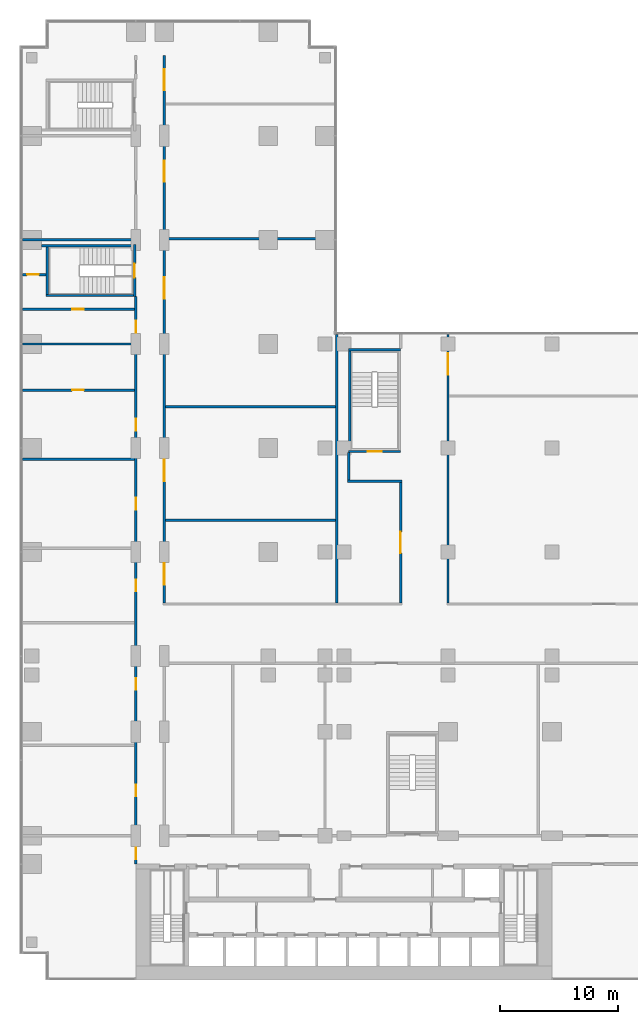
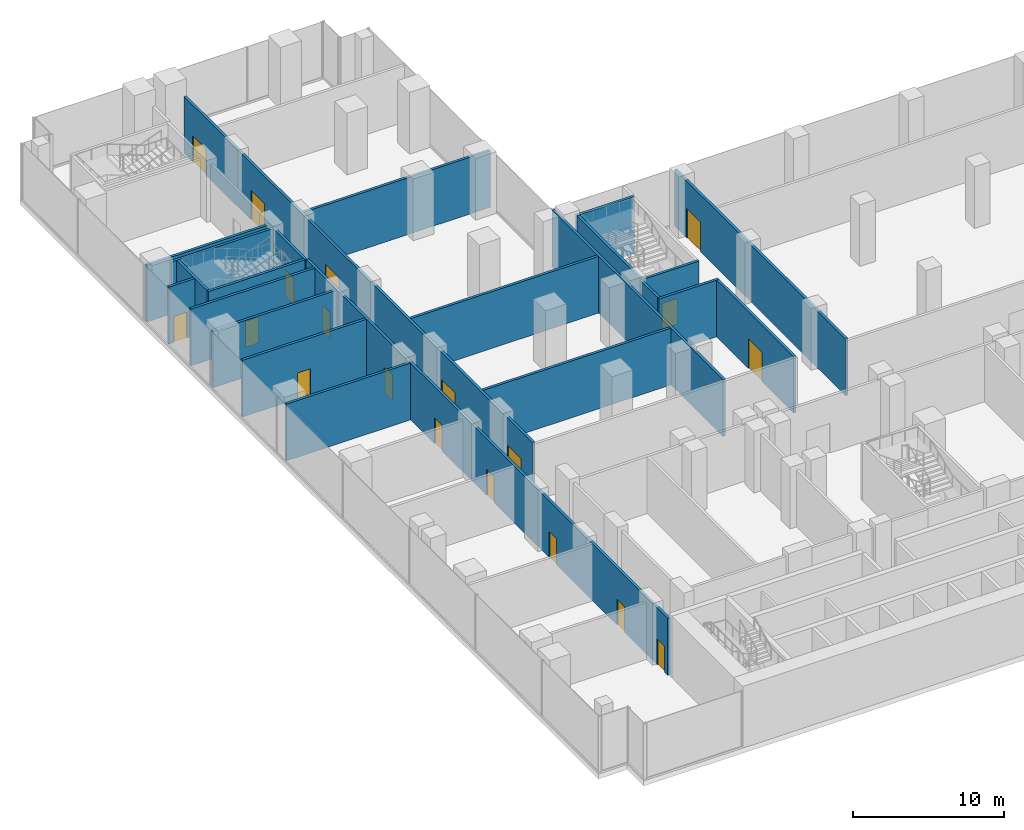
# One storey, part 20 of 30: 23 walls, 19 doors, 19 openings.
"""IFC4 building model written with IfcOpenShell, lengths in metres."""

from ifc_helpers import new_model, si_unit, direction, frame, frame_2d, origin, place, context, subcontext, project, spatial, rectangle, extrude, material, layer, layer_set, type_object, element, fill, save


model = new_model("IFC4")

# Units and contexts
model_context = context("Model", 3, precision=1e-05, world=origin(), true_north=direction((0.0, 1.0)))
body_context = subcontext(model_context, "Body", "Model", "MODEL_VIEW")
ifc_project = project(units=[si_unit("LENGTHUNIT", "METRE"), si_unit("AREAUNIT", "SQUARE_METRE"), si_unit("VOLUMEUNIT", "CUBIC_METRE"), si_unit("PLANEANGLEUNIT", "RADIAN"), si_unit("MASSUNIT", "GRAM", prefix="KILO")], contexts=[model_context])

# Site, building, storey
site_placement = place(None, origin())
site = spatial("IfcSite", under=ifc_project, at=site_placement, CompositionType="ELEMENT")
building_placement = place(site_placement, origin())
building = spatial("IfcBuilding", under=site, at=building_placement, Name="Kemantara Hotel Tower", CompositionType="ELEMENT")
storey_placement = place(building_placement, frame((0.0, 0.0, 13.0)))
storey = spatial("IfcBuildingStorey", under=building, at=storey_placement, Name="L02", CompositionType="ELEMENT", Elevation=13.0)

# Wall, opening, door
ifc_material_1 = material(Name="Concrete fc 40 MPa", Category="concrete")
ifc_layer_1 = layer(ifc_material_1, 0.199951171875)
ifc_layer_set_1 = layer_set([ifc_layer_1], Name="Concrete fc 40 MPa")
wall_type_1 = type_object("IfcWallType", Name="Concrete stair wall 200 mm", PredefinedType="SHEAR", material=ifc_layer_set_1)
wall_1_placement = place(storey_placement, frame((9.699951171875, 57.800048828125, 0.0), z_axis=(0.0, 0.0, 1.0), x_axis=(0.0, 1.0, 0.0)))
wall_1 = element("IfcWall", 1, at=wall_1_placement, inside=storey, type_object=wall_type_1, Name="Stair ST4 enclosure wall with door", PredefinedType="SHEAR", context=body_context, shape_type="SweptSolid", body=[
    extrude(rectangle(XDim=4.39990234375, YDim=0.199951171875, at=frame_2d((2.199951171875, 0.0))), origin(), (0.0, 0.0, 1.0), 4.60009765625),
])
opening_1_placement = place(wall_1_placement, frame((1.60009765625, 0.0, 0.0)))
opening_1 = element("IfcOpeningElement", 2, at=opening_1_placement, cuts=wall_1, Name="Opening ST4-C", PredefinedType="OPENING", context=body_context, shape_type="SweptSolid", body=[
    extrude(rectangle(XDim=1.199951171875, YDim=2.10009765625, at=frame_2d((0.60009765625, 1.050048828125))), frame((0.0, 0.10986328125, 0.0), z_axis=(0.0, -1.0, 0.0), x_axis=(1.0, 0.0, 0.0)), (0.0, 0.0, 1.0), 0.219970703125),
])
ifc_material_2 = material(Name="Steel fire door", Category="steel")
door_type_1 = type_object("IfcDoorType", Name="Fire door FD90 1200 x 2100", OperationType="NOTDEFINED", PredefinedType="DOOR", material=ifc_material_2)
door_1_placement = place(opening_1_placement, origin())
door_1 = element("IfcDoor", 3, at=door_1_placement, inside=storey, type_object=door_type_1, Name="Stair ST4 door", OperationType="SINGLE_SWING_RIGHT", OverallHeight=2.10009765625, OverallWidth=1.199951171875, PredefinedType="DOOR", context=body_context, shape_type="SweptSolid", body=[
    extrude(rectangle(XDim=1.199951171875, YDim=2.10009765625, at=frame_2d((0.60009765625, 1.050048828125))), frame((0.0, 0.02490234375, 0.0), z_axis=(0.0, -1.0, 0.0), x_axis=(1.0, 0.0, 0.0)), (0.0, 0.0, 1.0), 0.050048828125),
])
fill(opening_1, door_1)

# Walls
wall_2_placement = place(storey_placement, frame((1.800048828125, 62.10009765625, 0.0), z_axis=(0.0, 0.0, 1.0), x_axis=(1.0, 0.0, 0.0)))
element("IfcWall", 4, at=wall_2_placement, inside=storey, type_object=wall_type_1, Name="Stair ST4 enclosure wall N", PredefinedType="SHEAR", context=body_context, shape_type="SweptSolid", body=[
    extrude(rectangle(XDim=7.800048828125, YDim=0.199951171875, at=frame_2d((3.89990234375, 0.0))), origin(), (0.0, 0.0, 1.0), 4.60009765625),
])
wall_3_placement = place(storey_placement, frame((2.199951171875, 57.89990234375, 0.0), z_axis=(0.0, 0.0, 1.0), x_axis=(1.0, 0.0, 0.0)))
element("IfcWall", 5, at=wall_3_placement, inside=storey, type_object=wall_type_1, Name="Stair ST4 enclosure wall S", PredefinedType="SHEAR", context=body_context, shape_type="SweptSolid", body=[
    extrude(rectangle(XDim=7.400146484375, YDim=0.199951171875, at=frame_2d((3.7001953125, 0.0))), origin(), (0.0, 0.0, 1.0), 4.60009765625),
])
wall_4_placement = place(storey_placement, frame((2.300048828125, 58.0, 0.0), z_axis=(0.0, 0.0, 1.0), x_axis=(0.0, 1.0, 0.0)))
element("IfcWall", 6, at=wall_4_placement, inside=storey, type_object=wall_type_1, Name="Stair ST4 enclosure wall W", PredefinedType="SHEAR", context=body_context, shape_type="SweptSolid", body=[
    extrude(rectangle(XDim=4.0, YDim=0.199951171875, at=frame_2d((2.0, 0.0))), origin(), (0.0, 0.0, 1.0), 4.60009765625),
])

# Wall, opening, door
wall_5_placement = place(storey_placement, frame((27.800048828125, 44.699951171875, 0.0), z_axis=(0.0, 0.0, 1.0), x_axis=(1.0, 0.0, 0.0)))
wall_5 = element("IfcWall", 7, at=wall_5_placement, inside=storey, type_object=wall_type_1, Name="Stair PS2 enclosure wall with door", PredefinedType="SHEAR", context=body_context, shape_type="SweptSolid", body=[
    extrude(rectangle(XDim=4.39990234375, YDim=0.199951171875, at=frame_2d((2.199951171875, 0.0))), origin(), (0.0, 0.0, 1.0), 4.60009765625),
])
opening_2_placement = place(wall_5_placement, frame((1.60009765625, 0.0, 0.0)))
opening_2 = element("IfcOpeningElement", 8, at=opening_2_placement, cuts=wall_5, Name="Opening PS2-C", PredefinedType="OPENING", context=body_context, shape_type="SweptSolid", body=[
    extrude(rectangle(XDim=1.199951171875, YDim=2.10009765625, at=frame_2d((0.60009765625, 1.050048828125))), frame((0.0, 0.10986328125, 0.0), z_axis=(0.0, -1.0, 0.0), x_axis=(1.0, 0.0, 0.0)), (0.0, 0.0, 1.0), 0.219970703125),
])
door_2_placement = place(opening_2_placement, origin())
door_2 = element("IfcDoor", 9, at=door_2_placement, inside=storey, type_object=door_type_1, Name="Stair PS2 door", OperationType="SINGLE_SWING_LEFT", OverallHeight=2.10009765625, OverallWidth=1.199951171875, PredefinedType="DOOR", context=body_context, shape_type="SweptSolid", body=[
    extrude(rectangle(XDim=1.199951171875, YDim=2.10009765625, at=frame_2d((0.60009765625, 1.050048828125))), frame((0.0, 0.02490234375, 0.0), z_axis=(0.0, -1.0, 0.0), x_axis=(1.0, 0.0, 0.0)), (0.0, 0.0, 1.0), 0.050048828125),
])
fill(opening_2, door_2)

# Walls
wall_6_placement = place(storey_placement, frame((27.800048828125, 53.300048828125, 0.0), z_axis=(0.0, 0.0, 1.0), x_axis=(1.0, 0.0, 0.0)))
element("IfcWall", 10, at=wall_6_placement, inside=storey, type_object=wall_type_1, Name="Stair PS2 enclosure wall N", PredefinedType="SHEAR", context=body_context, shape_type="SweptSolid", body=[
    extrude(rectangle(XDim=4.39990234375, YDim=0.199951171875, at=frame_2d((2.199951171875, 0.0))), origin(), (0.0, 0.0, 1.0), 4.60009765625),
])
wall_7_placement = place(storey_placement, frame((27.89990234375, 44.800048828125, 0.0), z_axis=(0.0, 0.0, 1.0), x_axis=(0.0, 1.0, 0.0)))
element("IfcWall", 11, at=wall_7_placement, inside=storey, type_object=wall_type_1, Name="Stair PS2 enclosure wall W", PredefinedType="SHEAR", context=body_context, shape_type="SweptSolid", body=[
    extrude(rectangle(XDim=8.39990234375, YDim=0.199951171875, at=frame_2d((4.199951171875, 0.0))), origin(), (0.0, 0.0, 1.0), 4.60009765625),
])

# Wall, openings, doors
ifc_material_3 = material(Name="Fire-rated gypsum board partition")
ifc_layer_2 = layer(ifc_material_3, 0.199951171875)
ifc_layer_set_2 = layer_set([ifc_layer_2], Name="Fire-rated gypsum board partition")
wall_type_2 = type_object("IfcWallType", Name="FIRE-RATED GYPSUM PARTITION 200 EI 60", PredefinedType="PARTITIONING", material=ifc_layer_set_2)
wall_8_placement = place(storey_placement, frame((9.800048828125, 9.800048828125, 0.0), z_axis=(0.0, 0.0, 1.0), x_axis=(0.0, 1.0, 0.0)))
wall_8 = element("IfcWall", 12, at=wall_8_placement, inside=storey, type_object=wall_type_2, Name="FIRE-RATED PARTITION", PredefinedType="PARTITIONING", context=body_context, shape_type="SweptSolid", body=[
    extrude(rectangle(XDim=48.0, YDim=0.199951171875, at=frame_2d((24.0, 0.0))), origin(), (0.0, 0.0, 1.0), 4.60009765625),
])
opening_3_placement = place(wall_8_placement, frame((5.72998046875, 0.0, 0.0)))
opening_3 = element("IfcOpeningElement", 13, at=opening_3_placement, cuts=wall_8, Name="Opening L02-B008", PredefinedType="OPENING", context=body_context, shape_type="SweptSolid", body=[
    extrude(rectangle(XDim=1.0, YDim=2.10009765625, at=frame_2d((0.5, 1.050048828125))), frame((0.0, 0.10986328125, 0.0), z_axis=(0.0, -1.0, 0.0), x_axis=(1.0, 0.0, 0.0)), (0.0, 0.0, 1.0), 0.219970703125),
])
opening_4_placement = place(wall_8_placement, frame((14.739990234375, 0.0, 0.0)))
opening_4 = element("IfcOpeningElement", 14, at=opening_4_placement, cuts=wall_8, Name="Opening L02-B009", PredefinedType="OPENING", context=body_context, shape_type="SweptSolid", body=[
    extrude(rectangle(XDim=1.0, YDim=2.10009765625, at=frame_2d((0.5, 1.050048828125))), frame((0.0, 0.10986328125, 0.0), z_axis=(0.0, -1.0, 0.0), x_axis=(1.0, 0.0, 0.0)), (0.0, 0.0, 1.0), 0.219970703125),
])
opening_5_placement = place(wall_8_placement, frame((23.074951171875, 0.0, 0.0)))
opening_5 = element("IfcOpeningElement", 15, at=opening_5_placement, cuts=wall_8, Name="Opening L02-B010", PredefinedType="OPENING", context=body_context, shape_type="SweptSolid", body=[
    extrude(rectangle(XDim=1.0, YDim=2.10009765625, at=frame_2d((0.5, 1.050048828125))), frame((0.0, 0.10986328125, 0.0), z_axis=(0.0, -1.0, 0.0), x_axis=(1.0, 0.0, 0.0)), (0.0, 0.0, 1.0), 0.219970703125),
])
opening_6_placement = place(wall_8_placement, frame((29.985107421875, 0.0, 0.0)))
opening_6 = element("IfcOpeningElement", 16, at=opening_6_placement, cuts=wall_8, Name="Opening L02-B011", PredefinedType="OPENING", context=body_context, shape_type="SweptSolid", body=[
    extrude(rectangle(XDim=1.0, YDim=2.10009765625, at=frame_2d((0.5, 1.050048828125))), frame((0.0, 0.10986328125, 0.0), z_axis=(0.0, -1.0, 0.0), x_axis=(1.0, 0.0, 0.0)), (0.0, 0.0, 1.0), 0.219970703125),
])
opening_7_placement = place(wall_8_placement, frame((36.66796875, 0.0, 0.0)))
opening_7 = element("IfcOpeningElement", 17, at=opening_7_placement, cuts=wall_8, Name="Opening L02-B012", PredefinedType="OPENING", context=body_context, shape_type="SweptSolid", body=[
    extrude(rectangle(XDim=1.0, YDim=2.10009765625, at=frame_2d((0.5, 1.050048828125))), frame((0.0, 0.10986328125, 0.0), z_axis=(0.0, -1.0, 0.0), x_axis=(1.0, 0.0, 0.0)), (0.0, 0.0, 1.0), 0.219970703125),
])
opening_8_placement = place(wall_8_placement, frame((44.966796875, 0.0, 0.0)))
opening_8 = element("IfcOpeningElement", 18, at=opening_8_placement, cuts=wall_8, Name="Opening L02-B013", PredefinedType="OPENING", context=body_context, shape_type="SweptSolid", body=[
    extrude(rectangle(XDim=1.0, YDim=2.10009765625, at=frame_2d((0.5, 1.050048828125))), frame((0.0, 0.10986328125, 0.0), z_axis=(0.0, -1.0, 0.0), x_axis=(1.0, 0.0, 0.0)), (0.0, 0.0, 1.0), 0.219970703125),
])
opening_9_placement = place(wall_8_placement, frame((0.39990234375, 0.0, 0.0)))
opening_9 = element("IfcOpeningElement", 19, at=opening_9_placement, cuts=wall_8, Name="Opening L02-B021", PredefinedType="OPENING", context=body_context, shape_type="SweptSolid", body=[
    extrude(rectangle(XDim=1.0, YDim=2.10009765625, at=frame_2d((0.5, 1.050048828125))), frame((0.0, 0.10986328125, 0.0), z_axis=(0.0, -1.0, 0.0), x_axis=(1.0, 0.0, 0.0)), (0.0, 0.0, 1.0), 0.219970703125),
])
ifc_material_4 = material(Name="Galvanised steel door leaf", Category="steel")
door_type_2 = type_object("IfcDoorType", Name="FIRE-RATED STEEL DOOR 1000 X 2100", OperationType="SINGLE_SWING_LEFT", PredefinedType="DOOR", material=ifc_material_4)
door_3_placement = place(opening_9_placement, frame((1.0, 0.0, 0.0), z_axis=(0.0, 0.0, 1.0), x_axis=(-1.0, 0.0, 0.0)))
door_3 = element("IfcDoor", 20, at=door_3_placement, inside=storey, type_object=door_type_2, Name="FIRE-RATED STEEL DOOR", OperationType="SINGLE_SWING_RIGHT", OverallHeight=2.10009765625, OverallWidth=1.0, PredefinedType="DOOR", context=body_context, shape_type="SweptSolid", body=[
    extrude(rectangle(XDim=1.0, YDim=2.10009765625, at=frame_2d((0.5, 1.050048828125))), frame((0.0, 0.02490234375, 0.0), z_axis=(0.0, -1.0, 0.0), x_axis=(1.0, 0.0, 0.0)), (0.0, 0.0, 1.0), 0.050048828125),
])
fill(opening_9, door_3)
ifc_material_5 = material(Name="Timber veneer door leaf", Category="wood")
door_type_3 = type_object("IfcDoorType", Name="SINGLE LEAF TIMBER DOOR 1000 X 2100", OperationType="SINGLE_SWING_LEFT", PredefinedType="DOOR", material=ifc_material_5)
door_4_placement = place(opening_3_placement, origin())
door_4 = element("IfcDoor", 21, at=door_4_placement, inside=storey, type_object=door_type_3, Name="SINGLE LEAF TIMBER DOOR", OperationType="SINGLE_SWING_LEFT", OverallHeight=2.10009765625, OverallWidth=1.0, PredefinedType="DOOR", context=body_context, shape_type="SweptSolid", body=[
    extrude(rectangle(XDim=1.0, YDim=2.10009765625, at=frame_2d((0.5, 1.050048828125))), frame((0.0, 0.02490234375, 0.0), z_axis=(0.0, -1.0, 0.0), x_axis=(1.0, 0.0, 0.0)), (0.0, 0.0, 1.0), 0.050048828125),
])
fill(opening_3, door_4)
door_5_placement = place(opening_4_placement, origin())
door_5 = element("IfcDoor", 22, at=door_5_placement, inside=storey, type_object=door_type_3, Name="SINGLE LEAF TIMBER DOOR", OperationType="SINGLE_SWING_LEFT", OverallHeight=2.10009765625, OverallWidth=1.0, PredefinedType="DOOR", context=body_context, shape_type="SweptSolid", body=[
    extrude(rectangle(XDim=1.0, YDim=2.10009765625, at=frame_2d((0.5, 1.050048828125))), frame((0.0, 0.02490234375, 0.0), z_axis=(0.0, -1.0, 0.0), x_axis=(1.0, 0.0, 0.0)), (0.0, 0.0, 1.0), 0.050048828125),
])
fill(opening_4, door_5)
door_6_placement = place(opening_5_placement, origin())
door_6 = element("IfcDoor", 23, at=door_6_placement, inside=storey, type_object=door_type_3, Name="SINGLE LEAF TIMBER DOOR", OperationType="SINGLE_SWING_LEFT", OverallHeight=2.10009765625, OverallWidth=1.0, PredefinedType="DOOR", context=body_context, shape_type="SweptSolid", body=[
    extrude(rectangle(XDim=1.0, YDim=2.10009765625, at=frame_2d((0.5, 1.050048828125))), frame((0.0, 0.02490234375, 0.0), z_axis=(0.0, -1.0, 0.0), x_axis=(1.0, 0.0, 0.0)), (0.0, 0.0, 1.0), 0.050048828125),
])
fill(opening_5, door_6)
door_7_placement = place(opening_6_placement, origin())
door_7 = element("IfcDoor", 24, at=door_7_placement, inside=storey, type_object=door_type_3, Name="SINGLE LEAF TIMBER DOOR", OperationType="SINGLE_SWING_RIGHT", OverallHeight=2.10009765625, OverallWidth=1.0, PredefinedType="DOOR", context=body_context, shape_type="SweptSolid", body=[
    extrude(rectangle(XDim=1.0, YDim=2.10009765625, at=frame_2d((0.5, 1.050048828125))), frame((0.0, 0.02490234375, 0.0), z_axis=(0.0, -1.0, 0.0), x_axis=(1.0, 0.0, 0.0)), (0.0, 0.0, 1.0), 0.050048828125),
])
fill(opening_6, door_7)
door_8_placement = place(opening_7_placement, origin())
door_8 = element("IfcDoor", 25, at=door_8_placement, inside=storey, type_object=door_type_3, Name="SINGLE LEAF TIMBER DOOR", OperationType="SINGLE_SWING_RIGHT", OverallHeight=2.10009765625, OverallWidth=1.0, PredefinedType="DOOR", context=body_context, shape_type="SweptSolid", body=[
    extrude(rectangle(XDim=1.0, YDim=2.10009765625, at=frame_2d((0.5, 1.050048828125))), frame((0.0, 0.02490234375, 0.0), z_axis=(0.0, -1.0, 0.0), x_axis=(1.0, 0.0, 0.0)), (0.0, 0.0, 1.0), 0.050048828125),
])
fill(opening_7, door_8)
door_9_placement = place(opening_8_placement, origin())
door_9 = element("IfcDoor", 26, at=door_9_placement, inside=storey, type_object=door_type_3, Name="SINGLE LEAF TIMBER DOOR", OperationType="SINGLE_SWING_RIGHT", OverallHeight=2.10009765625, OverallWidth=1.0, PredefinedType="DOOR", context=body_context, shape_type="SweptSolid", body=[
    extrude(rectangle(XDim=1.0, YDim=2.10009765625, at=frame_2d((0.5, 1.050048828125))), frame((0.0, 0.02490234375, 0.0), z_axis=(0.0, -1.0, 0.0), x_axis=(1.0, 0.0, 0.0)), (0.0, 0.0, 1.0), 0.050048828125),
])
fill(opening_8, door_9)

wall_9_placement = place(storey_placement, frame((12.199951171875, 31.89990234375, 0.0), z_axis=(0.0, 0.0, 1.0), x_axis=(0.0, 1.0, 0.0)))
wall_9 = element("IfcWall", 27, at=wall_9_placement, inside=storey, type_object=wall_type_2, Name="FIRE-RATED PARTITION", PredefinedType="PARTITIONING", context=body_context, shape_type="SweptSolid", body=[
    extrude(rectangle(XDim=46.300048828125, YDim=0.199951171875, at=frame_2d((23.14990234375, 0.0))), origin(), (0.0, 0.0, 1.0), 4.60009765625),
])
opening_10_placement = place(wall_9_placement, frame((1.550048828125, 0.0, 0.0)))
opening_10 = element("IfcOpeningElement", 28, at=opening_10_placement, cuts=wall_9, Name="Opening L02-B016", PredefinedType="OPENING", context=body_context, shape_type="SweptSolid", body=[
    extrude(rectangle(XDim=1.800048828125, YDim=2.39990234375, at=frame_2d((0.89990234375, 1.199951171875))), frame((0.0, 0.10986328125, 0.0), z_axis=(0.0, -1.0, 0.0), x_axis=(1.0, 0.0, 0.0)), (0.0, 0.0, 1.0), 0.219970703125),
])
opening_11_placement = place(wall_9_placement, frame((10.300048828125, 0.0, 0.0)))
opening_11 = element("IfcOpeningElement", 29, at=opening_11_placement, cuts=wall_9, Name="Opening L02-B017", PredefinedType="OPENING", context=body_context, shape_type="SweptSolid", body=[
    extrude(rectangle(XDim=1.800048828125, YDim=2.39990234375, at=frame_2d((0.89990234375, 1.199951171875))), frame((0.0, 0.10986328125, 0.0), z_axis=(0.0, -1.0, 0.0), x_axis=(1.0, 0.0, 0.0)), (0.0, 0.0, 1.0), 0.219970703125),
])
opening_12_placement = place(wall_9_placement, frame((25.72509765625, 0.0, 0.0)))
opening_12 = element("IfcOpeningElement", 30, at=opening_12_placement, cuts=wall_9, Name="Opening L02-B018", PredefinedType="OPENING", context=body_context, shape_type="SweptSolid", body=[
    extrude(rectangle(XDim=1.800048828125, YDim=2.39990234375, at=frame_2d((0.89990234375, 1.199951171875))), frame((0.0, 0.10986328125, 0.0), z_axis=(0.0, -1.0, 0.0), x_axis=(1.0, 0.0, 0.0)), (0.0, 0.0, 1.0), 0.219970703125),
])
opening_13_placement = place(wall_9_placement, frame((35.60009765625, 0.0, 0.0)))
opening_13 = element("IfcOpeningElement", 31, at=opening_13_placement, cuts=wall_9, Name="Opening L02-B019", PredefinedType="OPENING", context=body_context, shape_type="SweptSolid", body=[
    extrude(rectangle(XDim=1.800048828125, YDim=2.39990234375, at=frame_2d((0.89990234375, 1.199951171875))), frame((0.0, 0.10986328125, 0.0), z_axis=(0.0, -1.0, 0.0), x_axis=(1.0, 0.0, 0.0)), (0.0, 0.0, 1.0), 0.219970703125),
])
opening_14_placement = place(wall_9_placement, frame((43.35009765625, 0.0, 0.0)))
opening_14 = element("IfcOpeningElement", 32, at=opening_14_placement, cuts=wall_9, Name="Opening L02-B020", PredefinedType="OPENING", context=body_context, shape_type="SweptSolid", body=[
    extrude(rectangle(XDim=1.800048828125, YDim=2.10009765625, at=frame_2d((0.89990234375, 1.050048828125))), frame((0.0, 0.10986328125, 0.0), z_axis=(0.0, -1.0, 0.0), x_axis=(1.0, 0.0, 0.0)), (0.0, 0.0, 1.0), 0.219970703125),
])
door_type_4 = type_object("IfcDoorType", Name="DOUBLE LEAF TIMBER DOOR 1800 X 2100", OperationType="DOUBLE_DOOR_SINGLE_SWING", PredefinedType="DOOR", material=ifc_material_5)
door_10_placement = place(opening_14_placement, origin())
door_10 = element("IfcDoor", 33, at=door_10_placement, inside=storey, type_object=door_type_4, Name="DOUBLE LEAF TIMBER DOOR", OperationType="DOUBLE_DOOR_SINGLE_SWING", OverallHeight=2.10009765625, OverallWidth=1.800048828125, PredefinedType="DOOR", context=body_context, shape_type="SweptSolid", body=[
    extrude(rectangle(XDim=1.800048828125, YDim=2.10009765625, at=frame_2d((0.89990234375, 1.050048828125))), frame((0.0, 0.02490234375, 0.0), z_axis=(0.0, -1.0, 0.0), x_axis=(1.0, 0.0, 0.0)), (0.0, 0.0, 1.0), 0.050048828125),
])
fill(opening_14, door_10)
ifc_material_6 = material(Name="Toughened glass door leaf", Category="glass")
door_type_5 = type_object("IfcDoorType", Name="GLAZED DOUBLE DOOR 1800 X 2400", OperationType="DOUBLE_DOOR_SINGLE_SWING", PredefinedType="DOOR", material=ifc_material_6)
door_11_placement = place(opening_10_placement, origin())
door_11 = element("IfcDoor", 34, at=door_11_placement, inside=storey, type_object=door_type_5, Name="GLAZED DOUBLE DOOR", OperationType="DOUBLE_DOOR_SINGLE_SWING", OverallHeight=2.39990234375, OverallWidth=1.800048828125, PredefinedType="DOOR", context=body_context, shape_type="SweptSolid", body=[
    extrude(rectangle(XDim=1.800048828125, YDim=2.39990234375, at=frame_2d((0.89990234375, 1.199951171875))), frame((0.0, 0.02490234375, 0.0), z_axis=(0.0, -1.0, 0.0), x_axis=(1.0, 0.0, 0.0)), (0.0, 0.0, 1.0), 0.050048828125),
])
fill(opening_10, door_11)
door_12_placement = place(opening_11_placement, origin())
door_12 = element("IfcDoor", 35, at=door_12_placement, inside=storey, type_object=door_type_5, Name="GLAZED DOUBLE DOOR", OperationType="DOUBLE_DOOR_SINGLE_SWING", OverallHeight=2.39990234375, OverallWidth=1.800048828125, PredefinedType="DOOR", context=body_context, shape_type="SweptSolid", body=[
    extrude(rectangle(XDim=1.800048828125, YDim=2.39990234375, at=frame_2d((0.89990234375, 1.199951171875))), frame((0.0, 0.02490234375, 0.0), z_axis=(0.0, -1.0, 0.0), x_axis=(1.0, 0.0, 0.0)), (0.0, 0.0, 1.0), 0.050048828125),
])
fill(opening_11, door_12)
door_13_placement = place(opening_12_placement, origin())
door_13 = element("IfcDoor", 36, at=door_13_placement, inside=storey, type_object=door_type_5, Name="GLAZED DOUBLE DOOR", OperationType="DOUBLE_DOOR_SINGLE_SWING", OverallHeight=2.39990234375, OverallWidth=1.800048828125, PredefinedType="DOOR", context=body_context, shape_type="SweptSolid", body=[
    extrude(rectangle(XDim=1.800048828125, YDim=2.39990234375, at=frame_2d((0.89990234375, 1.199951171875))), frame((0.0, 0.02490234375, 0.0), z_axis=(0.0, -1.0, 0.0), x_axis=(1.0, 0.0, 0.0)), (0.0, 0.0, 1.0), 0.050048828125),
])
fill(opening_12, door_13)
door_14_placement = place(opening_13_placement, origin())
door_14 = element("IfcDoor", 37, at=door_14_placement, inside=storey, type_object=door_type_5, Name="GLAZED DOUBLE DOOR", OperationType="DOUBLE_DOOR_SINGLE_SWING", OverallHeight=2.39990234375, OverallWidth=1.800048828125, PredefinedType="DOOR", context=body_context, shape_type="SweptSolid", body=[
    extrude(rectangle(XDim=1.800048828125, YDim=2.39990234375, at=frame_2d((0.89990234375, 1.199951171875))), frame((0.0, 0.02490234375, 0.0), z_axis=(0.0, -1.0, 0.0), x_axis=(1.0, 0.0, 0.0)), (0.0, 0.0, 1.0), 0.050048828125),
])
fill(opening_13, door_14)

# Walls
ifc_material_7 = material(Name="Gypsum board partition")
ifc_layer_3 = layer(ifc_material_7, 0.199951171875)
ifc_layer_set_3 = layer_set([ifc_layer_3], Name="Gypsum board partition")
wall_type_3 = type_object("IfcWallType", Name="GYPSUM BOARD PARTITION 200", PredefinedType="PARTITIONING", material=ifc_layer_set_3)
wall_10_placement = place(storey_placement, frame((27.699951171875, 42.199951171875, 0.0), z_axis=(0.0, 0.0, 1.0), x_axis=(1.0, 0.0, 0.0)))
element("IfcWall", 38, at=wall_10_placement, inside=storey, type_object=wall_type_3, Name="PARTITION", PredefinedType="PARTITIONING", context=body_context, shape_type="SweptSolid", body=[
    extrude(rectangle(XDim=4.60009765625, YDim=0.199951171875, at=frame_2d((2.300048828125, 0.0))), origin(), (0.0, 0.0, 1.0), 4.60009765625),
])
wall_11_placement = place(storey_placement, frame((0.199951171875, 44.0400390625, 0.0), z_axis=(0.0, 0.0, 1.0), x_axis=(1.0, 0.0, 0.0)))
element("IfcWall", 39, at=wall_11_placement, inside=storey, type_object=wall_type_3, Name="PARTITION", PredefinedType="PARTITIONING", context=body_context, shape_type="SweptSolid", body=[
    extrude(rectangle(XDim=9.5, YDim=0.199951171875, at=frame_2d((4.75, 0.0))), origin(), (0.0, 0.0, 1.0), 4.60009765625),
])

# Wall, opening, door
wall_12_placement = place(storey_placement, frame((0.199951171875, 49.89599609375, 0.0), z_axis=(0.0, 0.0, 1.0), x_axis=(1.0, 0.0, 0.0)))
wall_12 = element("IfcWall", 40, at=wall_12_placement, inside=storey, type_object=wall_type_3, Name="PARTITION", PredefinedType="PARTITIONING", context=body_context, shape_type="SweptSolid", body=[
    extrude(rectangle(XDim=9.5, YDim=0.199951171875, at=frame_2d((4.75, 0.0))), origin(), (0.0, 0.0, 1.0), 4.60009765625),
])
opening_15_placement = place(wall_12_placement, frame((4.199951171875, 0.0, 0.0)))
opening_15 = element("IfcOpeningElement", 41, at=opening_15_placement, cuts=wall_12, Name="Opening L02-B001", PredefinedType="OPENING", context=body_context, shape_type="SweptSolid", body=[
    extrude(rectangle(XDim=1.0, YDim=2.10009765625, at=frame_2d((0.5, 1.050048828125))), frame((0.0, 0.10986328125, 0.0), z_axis=(0.0, -1.0, 0.0), x_axis=(1.0, 0.0, 0.0)), (0.0, 0.0, 1.0), 0.219970703125),
])
door_15_placement = place(opening_15_placement, origin())
door_15 = element("IfcDoor", 42, at=door_15_placement, inside=storey, type_object=door_type_3, Name="SINGLE LEAF TIMBER DOOR", OperationType="SINGLE_SWING_LEFT", OverallHeight=2.10009765625, OverallWidth=1.0, PredefinedType="DOOR", context=body_context, shape_type="SweptSolid", body=[
    extrude(rectangle(XDim=1.0, YDim=2.10009765625, at=frame_2d((0.5, 1.050048828125))), frame((0.0, 0.02490234375, 0.0), z_axis=(0.0, -1.0, 0.0), x_axis=(1.0, 0.0, 0.0)), (0.0, 0.0, 1.0), 0.050048828125),
])
fill(opening_15, door_15)

# Wall
wall_13_placement = place(storey_placement, frame((0.199951171875, 53.800048828125, 0.0), z_axis=(0.0, 0.0, 1.0), x_axis=(1.0, 0.0, 0.0)))
element("IfcWall", 43, at=wall_13_placement, inside=storey, type_object=wall_type_3, Name="PARTITION", PredefinedType="PARTITIONING", context=body_context, shape_type="SweptSolid", body=[
    extrude(rectangle(XDim=9.5, YDim=0.199951171875, at=frame_2d((4.75, 0.0))), origin(), (0.0, 0.0, 1.0), 4.60009765625),
])

# Wall, opening, door
wall_14_placement = place(storey_placement, frame((0.199951171875, 56.73291015625, 0.0), z_axis=(0.0, 0.0, 1.0), x_axis=(1.0, 0.0, 0.0)))
wall_14 = element("IfcWall", 44, at=wall_14_placement, inside=storey, type_object=wall_type_3, Name="PARTITION", PredefinedType="PARTITIONING", context=body_context, shape_type="SweptSolid", body=[
    extrude(rectangle(XDim=9.5, YDim=0.199951171875, at=frame_2d((4.75, 0.0))), origin(), (0.0, 0.0, 1.0), 4.60009765625),
])
opening_16_placement = place(wall_14_placement, frame((4.199951171875, 0.0, 0.0)))
opening_16 = element("IfcOpeningElement", 45, at=opening_16_placement, cuts=wall_14, Name="Opening L02-B002", PredefinedType="OPENING", context=body_context, shape_type="SweptSolid", body=[
    extrude(rectangle(XDim=1.0, YDim=2.10009765625, at=frame_2d((0.5, 1.050048828125))), frame((0.0, 0.10986328125, 0.0), z_axis=(0.0, -1.0, 0.0), x_axis=(1.0, 0.0, 0.0)), (0.0, 0.0, 1.0), 0.219970703125),
])
door_16_placement = place(opening_16_placement, origin())
door_16 = element("IfcDoor", 46, at=door_16_placement, inside=storey, type_object=door_type_3, Name="SINGLE LEAF TIMBER DOOR", OperationType="SINGLE_SWING_LEFT", OverallHeight=2.10009765625, OverallWidth=1.0, PredefinedType="DOOR", context=body_context, shape_type="SweptSolid", body=[
    extrude(rectangle(XDim=1.0, YDim=2.10009765625, at=frame_2d((0.5, 1.050048828125))), frame((0.0, 0.02490234375, 0.0), z_axis=(0.0, -1.0, 0.0), x_axis=(1.0, 0.0, 0.0)), (0.0, 0.0, 1.0), 0.050048828125),
])
fill(opening_16, door_16)

wall_15_placement = place(storey_placement, frame((0.199951171875, 59.6669921875, 0.0), z_axis=(0.0, 0.0, 1.0), x_axis=(1.0, 0.0, 0.0)))
wall_15 = element("IfcWall", 47, at=wall_15_placement, inside=storey, type_object=wall_type_3, Name="PARTITION", PredefinedType="PARTITIONING", context=body_context, shape_type="SweptSolid", body=[
    extrude(rectangle(XDim=2.0, YDim=0.199951171875, at=frame_2d((1.0, 0.0))), origin(), (0.0, 0.0, 1.0), 4.60009765625),
])
opening_17_placement = place(wall_15_placement, frame((0.39990234375, 0.0, 0.0)))
opening_17 = element("IfcOpeningElement", 48, at=opening_17_placement, cuts=wall_15, Name="Opening L02-B003", PredefinedType="OPENING", context=body_context, shape_type="SweptSolid", body=[
    extrude(rectangle(XDim=1.0, YDim=2.10009765625, at=frame_2d((0.5, 1.050048828125))), frame((0.0, 0.10986328125, 0.0), z_axis=(0.0, -1.0, 0.0), x_axis=(1.0, 0.0, 0.0)), (0.0, 0.0, 1.0), 0.219970703125),
])
door_17_placement = place(opening_17_placement, origin())
door_17 = element("IfcDoor", 49, at=door_17_placement, inside=storey, type_object=door_type_3, Name="SINGLE LEAF TIMBER DOOR", OperationType="SINGLE_SWING_LEFT", OverallHeight=2.10009765625, OverallWidth=1.0, PredefinedType="DOOR", context=body_context, shape_type="SweptSolid", body=[
    extrude(rectangle(XDim=1.0, YDim=2.10009765625, at=frame_2d((0.5, 1.050048828125))), frame((0.0, 0.02490234375, 0.0), z_axis=(0.0, -1.0, 0.0), x_axis=(1.0, 0.0, 0.0)), (0.0, 0.0, 1.0), 0.050048828125),
])
fill(opening_17, door_17)

# Walls
wall_16_placement = place(storey_placement, frame((0.199951171875, 62.60009765625, 0.0), z_axis=(0.0, 0.0, 1.0), x_axis=(1.0, 0.0, 0.0)))
element("IfcWall", 50, at=wall_16_placement, inside=storey, type_object=wall_type_3, Name="PARTITION", PredefinedType="PARTITIONING", context=body_context, shape_type="SweptSolid", body=[
    extrude(rectangle(XDim=9.5, YDim=0.199951171875, at=frame_2d((4.75, 0.0))), origin(), (0.0, 0.0, 1.0), 4.60009765625),
])
for number, where, z_axis, x_axis, name in (
    (51, (12.300048828125, 38.89990234375, 0.0), (0.0, 0.0, 1.0), (1.0, 0.0, 0.0), "PARTITION"),
    (52, (12.300048828125, 48.5, 0.0), (0.0, 0.0, 1.0), (1.0, 0.0, 0.0), "PARTITION"),
):
    element("IfcWall", number, at=place(storey_placement, frame(where, z_axis=z_axis, x_axis=x_axis)), inside=storey, type_object=wall_type_3, Name=name, PredefinedType="PARTITIONING", context=body_context, shape_type="SweptSolid", body=[
        extrude(rectangle(XDim=14.39990234375, YDim=0.199951171875, at=frame_2d((7.199951171875, 0.0))), origin(), (0.0, 0.0, 1.0), 4.60009765625),
    ])
wall_17_placement = place(storey_placement, frame((12.300048828125, 62.699951171875, 0.0), z_axis=(0.0, 0.0, 1.0), x_axis=(1.0, 0.0, 0.0)))
element("IfcWall", 53, at=wall_17_placement, inside=storey, type_object=wall_type_3, Name="PARTITION", PredefinedType="PARTITIONING", context=body_context, shape_type="SweptSolid", body=[
    extrude(rectangle(XDim=14.300048828125, YDim=0.199951171875, at=frame_2d((7.14990234375, 0.0))), origin(), (0.0, 0.0, 1.0), 4.60009765625),
])

# Wall, opening, door
wall_18_placement = place(storey_placement, frame((36.199951171875, 31.89990234375, 0.0), z_axis=(0.0, 0.0, 1.0), x_axis=(0.0, 1.0, 0.0)))
wall_18 = element("IfcWall", 54, at=wall_18_placement, inside=storey, type_object=wall_type_3, Name="PARTITION", PredefinedType="PARTITIONING", context=body_context, shape_type="SweptSolid", body=[
    extrude(rectangle(XDim=22.7001953125, YDim=0.199951171875, at=frame_2d((11.35009765625, 0.0))), origin(), (0.0, 0.0, 1.0), 4.60009765625),
])
opening_18_placement = place(wall_18_placement, frame((19.300048828125, 0.0, 0.0)))
opening_18 = element("IfcOpeningElement", 55, at=opening_18_placement, cuts=wall_18, Name="Opening L02-B030", PredefinedType="OPENING", context=body_context, shape_type="SweptSolid", body=[
    extrude(rectangle(XDim=1.800048828125, YDim=2.39990234375, at=frame_2d((0.89990234375, 1.199951171875))), frame((0.0, 0.10986328125, 0.0), z_axis=(0.0, -1.0, 0.0), x_axis=(1.0, 0.0, 0.0)), (0.0, 0.0, 1.0), 0.219970703125),
])
door_18_placement = place(opening_18_placement, frame((1.800048828125, 0.0, 0.0), z_axis=(0.0, 0.0, 1.0), x_axis=(-1.0, 0.0, 0.0)))
door_18 = element("IfcDoor", 56, at=door_18_placement, inside=storey, type_object=door_type_5, Name="GLAZED DOUBLE DOOR", OperationType="DOUBLE_DOOR_SINGLE_SWING", OverallHeight=2.39990234375, OverallWidth=1.800048828125, PredefinedType="DOOR", context=body_context, shape_type="SweptSolid", body=[
    extrude(rectangle(XDim=1.800048828125, YDim=2.39990234375, at=frame_2d((0.89990234375, 1.199951171875))), frame((0.0, 0.02490234375, 0.0), z_axis=(0.0, -1.0, 0.0), x_axis=(1.0, 0.0, 0.0)), (0.0, 0.0, 1.0), 0.050048828125),
])
fill(opening_18, door_18)

wall_19_placement = place(storey_placement, frame((32.199951171875, 31.89990234375, 0.0), z_axis=(0.0, 0.0, 1.0), x_axis=(0.0, 1.0, 0.0)))
wall_19 = element("IfcWall", 57, at=wall_19_placement, inside=storey, type_object=wall_type_3, Name="PARTITION", PredefinedType="PARTITIONING", context=body_context, shape_type="SweptSolid", body=[
    extrude(rectangle(XDim=10.2001953125, YDim=0.199951171875, at=frame_2d((5.10009765625, 0.0))), origin(), (0.0, 0.0, 1.0), 4.60009765625),
])
opening_19_placement = place(wall_19_placement, frame((4.199951171875, 0.0, 0.0)))
opening_19 = element("IfcOpeningElement", 58, at=opening_19_placement, cuts=wall_19, Name="Opening L02-B031", PredefinedType="OPENING", context=body_context, shape_type="SweptSolid", body=[
    extrude(rectangle(XDim=1.800048828125, YDim=2.39990234375, at=frame_2d((0.89990234375, 1.199951171875))), frame((0.0, 0.10986328125, 0.0), z_axis=(0.0, -1.0, 0.0), x_axis=(1.0, 0.0, 0.0)), (0.0, 0.0, 1.0), 0.219970703125),
])
door_19_placement = place(opening_19_placement, frame((1.800048828125, 0.0, 0.0), z_axis=(0.0, 0.0, 1.0), x_axis=(-1.0, 0.0, 0.0)))
door_19 = element("IfcDoor", 59, at=door_19_placement, inside=storey, type_object=door_type_5, Name="GLAZED DOUBLE DOOR", OperationType="DOUBLE_DOOR_SINGLE_SWING", OverallHeight=2.39990234375, OverallWidth=1.800048828125, PredefinedType="DOOR", context=body_context, shape_type="SweptSolid", body=[
    extrude(rectangle(XDim=1.800048828125, YDim=2.39990234375, at=frame_2d((0.89990234375, 1.199951171875))), frame((0.0, 0.02490234375, 0.0), z_axis=(0.0, -1.0, 0.0), x_axis=(1.0, 0.0, 0.0)), (0.0, 0.0, 1.0), 0.050048828125),
])
fill(opening_19, door_19)

# Walls
wall_20_placement = place(storey_placement, frame((27.800048828125, 42.300048828125, 0.0), z_axis=(0.0, 0.0, 1.0), x_axis=(0.0, 1.0, 0.0)))
element("IfcWall", 60, at=wall_20_placement, inside=storey, type_object=wall_type_3, Name="PARTITION", PredefinedType="PARTITIONING", context=body_context, shape_type="SweptSolid", body=[
    extrude(rectangle(XDim=2.300048828125, YDim=0.199951171875, at=frame_2d((1.14990234375, 0.0))), origin(), (0.0, 0.0, 1.0), 4.60009765625),
])
wall_21_placement = place(storey_placement, frame((26.800048828125, 31.89990234375, 0.0), z_axis=(0.0, 0.0, 1.0), x_axis=(0.0, 1.0, 0.0)))
element("IfcWall", 61, at=wall_21_placement, inside=storey, type_object=wall_type_3, Name="PARTITION", PredefinedType="PARTITIONING", context=body_context, shape_type="SweptSolid", body=[
    extrude(rectangle(XDim=22.7001953125, YDim=0.199951171875, at=frame_2d((11.35009765625, 0.0))), origin(), (0.0, 0.0, 1.0), 4.60009765625),
])

save(model, "model.ifc")
